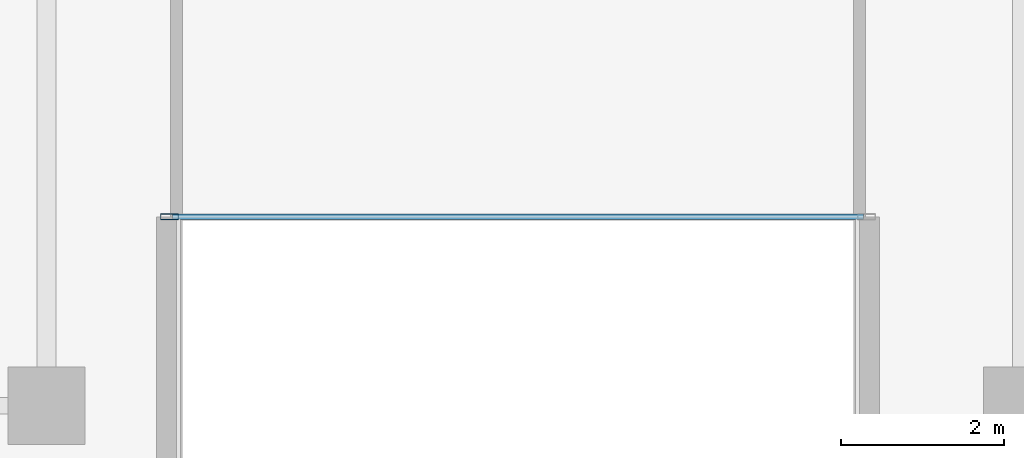
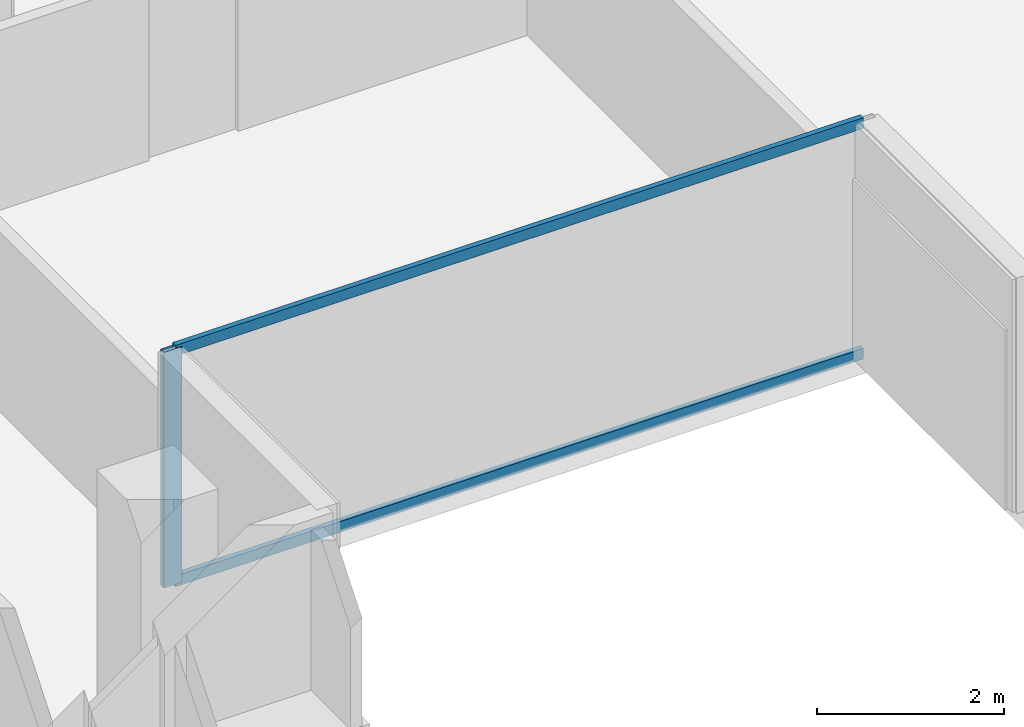
# One storey, part 2 of 23: 3 members, 1 element without a shape of its own.
"""IFC4 building model written with IfcOpenShell, lengths in metres."""

from ifc_helpers import new_model, si_unit, direction, frame, origin, origin_2d, place, context, subcontext, project, spatial, hollow_rectangle, extrude, material, layer, layer_set, material_profile, profile_set, type_object, element, aggregate, save


model = new_model("IFC4")

# Units and contexts
model_context = context("Model", 3, precision=1e-05, world=origin(), true_north=direction((0.0, 1.0)))
body_context = subcontext(model_context, "Body", "Model", "MODEL_VIEW")
ifc_project = project(units=[si_unit("LENGTHUNIT", "METRE"), si_unit("AREAUNIT", "SQUARE_METRE"), si_unit("VOLUMEUNIT", "CUBIC_METRE"), si_unit("PLANEANGLEUNIT", "RADIAN"), si_unit("MASSUNIT", "GRAM", prefix="KILO")], contexts=[model_context])

# Site, building, storey
site_placement = place(None, origin())
site = spatial("IfcSite", under=ifc_project, at=site_placement, CompositionType="ELEMENT")
building_placement = place(site_placement, origin())
building = spatial("IfcBuilding", under=site, at=building_placement, Name="Tanjung Sevakor Pilgrim Tower", CompositionType="ELEMENT")
storey_placement = place(building_placement, frame((0.0, 0.0, 105.27001953125)))
storey = spatial("IfcBuildingStorey", under=building, at=storey_placement, Name="L29", CompositionType="ELEMENT", Elevation=105.27001953125)

# Curtain wall, members
ifc_material_1 = material(Name="Aluminium 6063-T6 and Low-E Glass", Category="aluminium")
ifc_layer = layer(ifc_material_1, 0.179931640625)
ifc_layer_set = layer_set([ifc_layer], Name="CW-SYS-CLEFT")
curtain_wall_type = type_object("IfcCurtainWallType", Name="CW-SYS-CLEFT", PredefinedType="NOTDEFINED", material=ifc_layer_set)
curtain_wall_placement = place(storey_placement, origin())
curtain_wall = element("IfcCurtainWall", 1, at=curtain_wall_placement, inside=storey, type_object=curtain_wall_type, Name="L29 Curtain Wall CW-CLF-L29-2", PredefinedType="NOTDEFINED")
ifc_material_2 = material(Name="Aluminium 6063-T6", Category="aluminium")
ifc_material_profile_1 = material_profile(ifc_material_2, hollow_rectangle(XDim=0.074951171875, YDim=0.219970703125, WallThickness=0.0048828125, at=origin_2d()))
ifc_profile_set_1 = profile_set([ifc_material_profile_1], Name="Aluminium 6063-T6")
member_type_1 = type_object("IfcMemberType", Name="TYPE-CWM-2", PredefinedType="MULLION", material=ifc_profile_set_1)
member_1_placement = place(storey_placement, frame((43.512451171875, 13.125, 0.0), z_axis=(0.0, 0.0, 1.0), x_axis=(0.0, 1.0, 0.0)))
member_1 = element("IfcMember", 2, at=member_1_placement, type_object=member_type_1, Name="CW-CLF mullion 1", PredefinedType="MULLION", context=body_context, shape_type="SweptSolid", body=[
    extrude(hollow_rectangle(XDim=0.074951171875, YDim=0.219970703125, WallThickness=0.0048828125, at=origin_2d()), origin(), (0.0, 0.0, 1.0), 3.080078125),
])
ifc_material_3 = material(Name="Aluminium 6063-T6", Category="aluminium")
ifc_material_profile_2 = material_profile(ifc_material_3, hollow_rectangle(XDim=0.06494140625, YDim=0.139892578125, WallThickness=0.00390625, at=origin_2d()))
ifc_profile_set_2 = profile_set([ifc_material_profile_2], Name="Aluminium 6063-T6")
member_type_2 = type_object("IfcMemberType", Name="TYPE-CWT-1", PredefinedType="USERDEFINED", material=ifc_profile_set_2)
member_2_placement = place(storey_placement, frame((43.550048828125, 13.125, 0.032470703125), z_axis=(1.0, 0.0, 0.0), x_axis=(0.0, 1.0, 0.0)))
member_2 = element("IfcMember", 3, at=member_2_placement, type_object=member_type_2, Name="CW-CLF transom 1.1", ObjectType="TRANSOM", PredefinedType="USERDEFINED", context=body_context, shape_type="SweptSolid", body=[
    extrude(hollow_rectangle(XDim=0.06494140625, YDim=0.139892578125, WallThickness=0.00390625, at=origin_2d()), origin(), (0.0, 0.0, 1.0), 8.5),
])
member_3_placement = place(storey_placement, frame((43.550048828125, 13.125, 3.04736328125), z_axis=(1.0, 0.0, 0.0), x_axis=(0.0, 1.0, 0.0)))
member_3 = element("IfcMember", 4, at=member_3_placement, type_object=member_type_2, Name="CW-CLF transom 1.2", ObjectType="TRANSOM", PredefinedType="USERDEFINED", context=body_context, shape_type="SweptSolid", body=[
    extrude(hollow_rectangle(XDim=0.06494140625, YDim=0.139892578125, WallThickness=0.00390625, at=origin_2d()), origin(), (0.0, 0.0, 1.0), 8.5),
])
aggregate(curtain_wall, [member_1, member_2, member_3])

save(model, "model.ifc")
